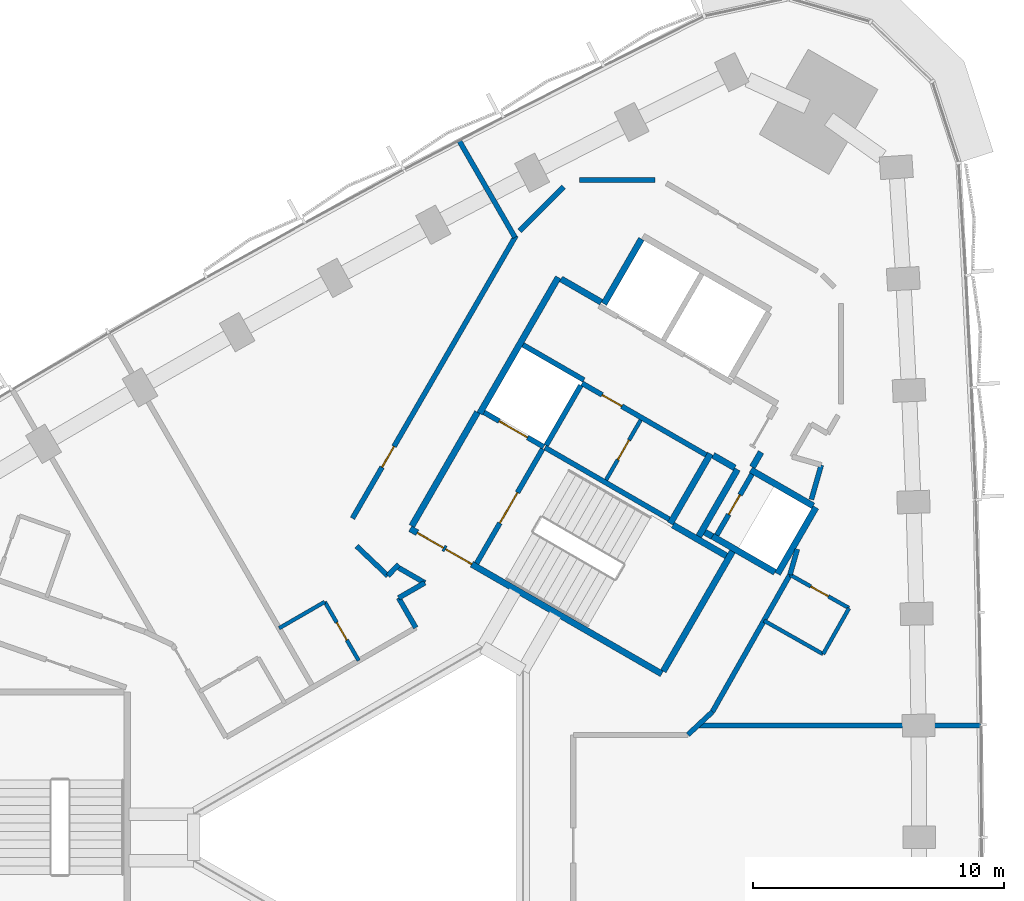
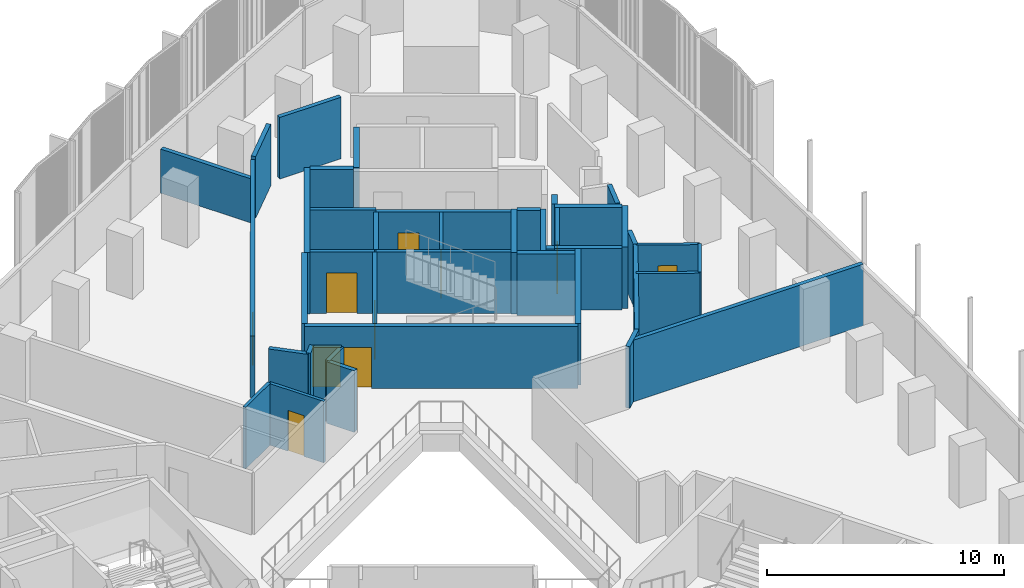
# One storey, part 10 of 15: 42 walls, 10 doors, 10 openings.
"""IFC4 building model written with IfcOpenShell, lengths in metres."""

from ifc_helpers import new_model, si_unit, direction, frame, frame_2d, origin, place, context, subcontext, project, spatial, rectangle, extrude, material, layer, layer_set, type_object, element, fill, save


model = new_model("IFC4")

# Units and contexts
model_context = context("Model", 3, precision=1e-05, world=origin(), true_north=direction((0.0, 1.0)))
body_context = subcontext(model_context, "Body", "Model", "MODEL_VIEW")
ifc_project = project(units=[si_unit("LENGTHUNIT", "METRE"), si_unit("AREAUNIT", "SQUARE_METRE"), si_unit("VOLUMEUNIT", "CUBIC_METRE"), si_unit("PLANEANGLEUNIT", "RADIAN"), si_unit("MASSUNIT", "GRAM", prefix="KILO")], contexts=[model_context])

# Site, building, storey
site_placement = place(None, origin())
site = spatial("IfcSite", under=ifc_project, at=site_placement, CompositionType="ELEMENT")
building_placement = place(site_placement, origin())
building = spatial("IfcBuilding", under=site, at=building_placement, Name="Tamra Quay Hotel Tower", CompositionType="ELEMENT")
storey_placement = place(building_placement, frame((0.0, 0.0, 101.0)))
storey = spatial("IfcBuildingStorey", under=building, at=storey_placement, Name="L24", CompositionType="ELEMENT", Elevation=101.0)

# Wall
ifc_material_1 = material(Name="Concrete M70", Category="concrete")
ifc_layer_1 = layer(ifc_material_1, 0.199951171875)
ifc_layer_set_1 = layer_set([ifc_layer_1], Name="Concrete M70 core wall 200")
wall_type_1 = type_object("IfcWallType", Name="Concrete M70 core wall 200", PredefinedType="SHEAR", material=ifc_layer_set_1)
wall_1_placement = place(storey_placement, frame((5.774658203125, 15.501953125, 0.0), z_axis=(0.0, 0.0, 1.0), x_axis=(0.866020080793, -0.500009219579, 0.0)))
element("IfcWall", 1, at=wall_1_placement, inside=storey, type_object=wall_type_1, Name="CW2", PredefinedType="SHEAR", context=body_context, shape_type="SweptSolid", body=[
    extrude(rectangle(XDim=5.69921875, YDim=0.199951171875, at=frame_2d((2.849609375, 0.0))), origin(), (0.0, 0.0, 1.0), 3.175048828125),
])

# Wall, opening, door
wall_2_placement = place(storey_placement, frame((12.18505859375, 15.20703125, 0.0), z_axis=(0.0, 0.0, 1.0), x_axis=(-0.866020080793, 0.500009219579, 0.0)))
wall_2 = element("IfcWall", 2, at=wall_2_placement, inside=storey, type_object=wall_type_1, Name="CW2", PredefinedType="SHEAR", context=body_context, shape_type="SweptSolid", body=[
    extrude(rectangle(XDim=5.69921875, YDim=0.199951171875, at=frame_2d((2.849609375, 0.0))), origin(), (0.0, 0.0, 1.0), 3.175048828125),
])
opening_1_placement = place(wall_2_placement, frame((3.8740234375, 0.0, 0.0)))
opening_1 = element("IfcOpeningElement", 3, at=opening_1_placement, cuts=wall_2, Name="Opening D2", PredefinedType="OPENING", context=body_context, shape_type="SweptSolid", body=[
    extrude(rectangle(XDim=0.89990234375, YDim=2.10009765625, at=frame_2d((0.449951171875, 1.050048828125))), frame((0.0, 0.10986328125, 0.0), z_axis=(0.0, -1.0, 0.0), x_axis=(1.0, 0.0, 0.0)), (0.0, 0.0, 1.0), 0.219970703125),
])
ifc_material_2 = material(Name="Core door D2 900x2100 RH")
door_type_1 = type_object("IfcDoorType", Name="Core door D2 900x2100 RH", OperationType="NOTDEFINED", PredefinedType="DOOR", material=ifc_material_2)
door_1_placement = place(opening_1_placement, origin())
door_1 = element("IfcDoor", 4, at=door_1_placement, inside=storey, type_object=door_type_1, Name="D2", OperationType="SINGLE_SWING_RIGHT", OverallHeight=2.10009765625, OverallWidth=0.89990234375, PredefinedType="DOOR", context=body_context, shape_type="SweptSolid", body=[
    extrude(rectangle(XDim=0.89990234375, YDim=2.10009765625, at=frame_2d((0.449951171875, 1.050048828125))), frame((0.0, 0.02490234375, 0.0), z_axis=(0.0, -1.0, 0.0), x_axis=(1.0, 0.0, 0.0)), (0.0, 0.0, 1.0), 0.050048828125),
])
fill(opening_1, door_1)

wall_3_placement = place(storey_placement, frame((3.056640625, 10.89453125, 0.0), z_axis=(0.0, 0.0, 1.0), x_axis=(0.499989418164, 0.866031513124, 0.0)))
wall_3 = element("IfcWall", 5, at=wall_3_placement, inside=storey, type_object=wall_type_1, Name="CW2", PredefinedType="SHEAR", context=body_context, shape_type="SweptSolid", body=[
    extrude(rectangle(XDim=5.2509765625, YDim=0.199951171875, at=frame_2d((2.62548828125, 0.0))), origin(), (0.0, 0.0, 1.0), 3.175048828125),
])
opening_2_placement = place(wall_3_placement, frame((1.84912109375, 0.0, 0.0)))
opening_2 = element("IfcOpeningElement", 6, at=opening_2_placement, cuts=wall_3, Name="Opening FD2", PredefinedType="OPENING", context=body_context, shape_type="SweptSolid", body=[
    extrude(rectangle(XDim=1.39990234375, YDim=2.10009765625, at=frame_2d((0.699951171875, 1.050048828125))), frame((0.0, 0.10986328125, 0.0), z_axis=(0.0, -1.0, 0.0), x_axis=(1.0, 0.0, 0.0)), (0.0, 0.0, 1.0), 0.219970703125),
])
ifc_material_3 = material(Name="Core door FD2 1400x2100 LH")
door_type_2 = type_object("IfcDoorType", Name="Core door FD2 1400x2100 LH", OperationType="NOTDEFINED", PredefinedType="DOOR", material=ifc_material_3)
door_2_placement = place(opening_2_placement, origin())
door_2 = element("IfcDoor", 7, at=door_2_placement, inside=storey, type_object=door_type_2, Name="FD2", OperationType="SINGLE_SWING_LEFT", OverallHeight=2.10009765625, OverallWidth=1.39990234375, PredefinedType="DOOR", context=body_context, shape_type="SweptSolid", body=[
    extrude(rectangle(XDim=1.39990234375, YDim=2.10009765625, at=frame_2d((0.699951171875, 1.050048828125))), frame((0.0, 0.02490234375, 0.0), z_axis=(0.0, -1.0, 0.0), x_axis=(1.0, 0.0, 0.0)), (0.0, 0.0, 1.0), 0.050048828125),
])
fill(opening_2, door_2)

wall_4_placement = place(storey_placement, frame((14.0078125, 14.442138671875, 0.0), z_axis=(0.0, 0.0, 1.0), x_axis=(-0.499986818241, -0.866033014143, 0.0)))
wall_4 = element("IfcWall", 8, at=wall_4_placement, inside=storey, type_object=wall_type_1, Name="CW2", PredefinedType="SHEAR", context=body_context, shape_type="SweptSolid", body=[
    extrude(rectangle(XDim=2.7978515625, YDim=0.199951171875, at=frame_2d((1.39892578125, 0.0))), origin(), (0.0, 0.0, 1.0), 3.175048828125),
])
opening_3_placement = place(wall_4_placement, frame((0.948974609375, 0.0, 0.0)))
opening_3 = element("IfcOpeningElement", 9, at=opening_3_placement, cuts=wall_4, Name="Opening D1", PredefinedType="OPENING", context=body_context, shape_type="SweptSolid", body=[
    extrude(rectangle(XDim=0.89990234375, YDim=2.10009765625, at=frame_2d((0.449951171875, 1.050048828125))), frame((0.0, 0.10986328125, 0.0), z_axis=(0.0, -1.0, 0.0), x_axis=(1.0, 0.0, 0.0)), (0.0, 0.0, 1.0), 0.219970703125),
])
ifc_material_4 = material(Name="Core door D1 900x2100 LH")
door_type_3 = type_object("IfcDoorType", Name="Core door D1 900x2100 LH", OperationType="NOTDEFINED", PredefinedType="DOOR", material=ifc_material_4)
door_3_placement = place(opening_3_placement, origin())
door_3 = element("IfcDoor", 10, at=door_3_placement, inside=storey, type_object=door_type_3, Name="D1", OperationType="SINGLE_SWING_LEFT", OverallHeight=2.10009765625, OverallWidth=0.89990234375, PredefinedType="DOOR", context=body_context, shape_type="SweptSolid", body=[
    extrude(rectangle(XDim=0.89990234375, YDim=2.10009765625, at=frame_2d((0.449951171875, 1.050048828125))), frame((0.0, 0.02490234375, 0.0), z_axis=(0.0, -1.0, 0.0), x_axis=(1.0, 0.0, 0.0)), (0.0, 0.0, 1.0), 0.050048828125),
])
fill(opening_3, door_3)

# Wall
wall_5_placement = place(storey_placement, frame((7.199462890625, 17.969970703125, 0.0), z_axis=(0.0, 0.0, 1.0), x_axis=(-0.499968400327, -0.866043647095, 0.0)))
element("IfcWall", 11, at=wall_5_placement, inside=storey, type_object=wall_type_1, Name="CW2", PredefinedType="SHEAR", context=body_context, shape_type="SweptSolid", body=[
    extrude(rectangle(XDim=2.749755859375, YDim=0.199951171875, at=frame_2d((1.375, 0.0))), origin(), (0.0, 0.0, 1.0), 3.175048828125),
])

# Wall, opening, door
wall_6_placement = place(storey_placement, frame((5.72509765625, 15.530517578125, 0.0), z_axis=(0.0, 0.0, 1.0), x_axis=(-0.866037306777, 0.499979382845, 0.0)))
wall_6 = element("IfcWall", 12, at=wall_6_placement, inside=storey, type_object=wall_type_1, Name="CW2", PredefinedType="SHEAR", context=body_context, shape_type="SweptSolid", body=[
    extrude(rectangle(XDim=2.74169921875, YDim=0.199951171875, at=frame_2d((1.370849609375, 0.0))), origin(), (0.0, 0.0, 1.0), 3.175048828125),
])
opening_4_placement = place(wall_6_placement, frame((0.742919921875, 0.0, 0.0)))
opening_4 = element("IfcOpeningElement", 13, at=opening_4_placement, cuts=wall_6, Name="Opening LD", PredefinedType="OPENING", context=body_context, shape_type="SweptSolid", body=[
    extrude(rectangle(XDim=1.300048828125, YDim=2.10009765625, at=frame_2d((0.64990234375, 1.050048828125))), frame((0.0, 0.10986328125, 0.0), z_axis=(0.0, -1.0, 0.0), x_axis=(1.0, 0.0, 0.0)), (0.0, 0.0, 1.0), 0.219970703125),
])
ifc_material_5 = material(Name="Landing door LD 1300 sliding to left")
door_type_4 = type_object("IfcDoorType", Name="Landing door LD 1300 sliding to left", OperationType="NOTDEFINED", PredefinedType="DOOR", material=ifc_material_5)
door_4_placement = place(opening_4_placement, origin())
door_4 = element("IfcDoor", 14, at=door_4_placement, inside=storey, type_object=door_type_4, Name="LD", OperationType="SLIDING_TO_LEFT", OverallHeight=2.10009765625, OverallWidth=1.300048828125, PredefinedType="DOOR", context=body_context, shape_type="SweptSolid", body=[
    extrude(rectangle(XDim=1.300048828125, YDim=2.10009765625, at=frame_2d((0.64990234375, 1.050048828125))), frame((0.0, 0.02490234375, 0.0), z_axis=(0.0, -1.0, 0.0), x_axis=(1.0, 0.0, 0.0)), (0.0, 0.0, 1.0), 0.050048828125),
])
fill(opening_4, door_4)

# Wall
wall_7_placement = place(storey_placement, frame((4.900634765625, 19.5859375, 0.0), z_axis=(0.0, 0.0, 1.0), x_axis=(0.866022890907, -0.500004352405, 0.0)))
element("IfcWall", 15, at=wall_7_placement, inside=storey, type_object=wall_type_1, Name="CW2", PredefinedType="SHEAR", context=body_context, shape_type="SweptSolid", body=[
    extrude(rectangle(XDim=2.798828125, YDim=0.199951171875, at=frame_2d((1.3994140625, 0.0))), origin(), (0.0, 0.0, 1.0), 3.175048828125),
])

# Wall, openings, doors
ifc_layer_2 = layer(ifc_material_1, 0.25)
ifc_layer_set_2 = layer_set([ifc_layer_2], Name="Concrete M70 core wall 250")
wall_type_2 = type_object("IfcWallType", Name="Concrete M70 core wall 250", PredefinedType="SHEAR", material=ifc_layer_set_2)
wall_8_placement = place(storey_placement, frame((10.419921875, 6.497802734375, 0.0), z_axis=(0.0, 0.0, 1.0), x_axis=(-0.866021906294, 0.500006057782, 0.0)))
wall_8 = element("IfcWall", 16, at=wall_8_placement, inside=storey, type_object=wall_type_2, Name="CW1", PredefinedType="SHEAR", context=body_context, shape_type="SweptSolid", body=[
    extrude(rectangle(XDim=11.550048828125, YDim=0.25, at=frame_2d((5.77490234375, 0.0))), origin(), (0.0, 0.0, 1.0), 3.175048828125),
])
opening_5_placement = place(wall_8_placement, frame((10.02490234375, 0.0, 0.0)))
opening_5 = element("IfcOpeningElement", 17, at=opening_5_placement, cuts=wall_8, Name="Opening FD1", PredefinedType="OPENING", context=body_context, shape_type="SweptSolid", body=[
    extrude(rectangle(XDim=1.199951171875, YDim=2.10009765625, at=frame_2d((0.60009765625, 1.050048828125))), frame((0.0, 0.135009765625, 0.0), z_axis=(0.0, -1.0, 0.0), x_axis=(1.0, 0.0, 0.0)), (0.0, 0.0, 1.0), 0.27001953125),
])
opening_6_placement = place(wall_8_placement, frame((8.724853515625, 0.0, 0.0)))
opening_6 = element("IfcOpeningElement", 18, at=opening_6_placement, cuts=wall_8, Name="Opening FD1", PredefinedType="OPENING", context=body_context, shape_type="SweptSolid", body=[
    extrude(rectangle(XDim=1.199951171875, YDim=2.10009765625, at=frame_2d((0.60009765625, 1.050048828125))), frame((0.0, 0.135009765625, 0.0), z_axis=(0.0, -1.0, 0.0), x_axis=(1.0, 0.0, 0.0)), (0.0, 0.0, 1.0), 0.27001953125),
])
ifc_material_6 = material(Name="Core door FD1 1200x2100 LH")
door_type_5 = type_object("IfcDoorType", Name="Core door FD1 1200x2100 LH", OperationType="NOTDEFINED", PredefinedType="DOOR", material=ifc_material_6)
door_5_placement = place(opening_5_placement, origin())
door_5 = element("IfcDoor", 19, at=door_5_placement, inside=storey, type_object=door_type_5, Name="FD1", OperationType="SINGLE_SWING_LEFT", OverallHeight=2.10009765625, OverallWidth=1.199951171875, PredefinedType="DOOR", context=body_context, shape_type="SweptSolid", body=[
    extrude(rectangle(XDim=1.199951171875, YDim=2.10009765625, at=frame_2d((0.60009765625, 1.050048828125))), frame((0.0, 0.02490234375, 0.0), z_axis=(0.0, -1.0, 0.0), x_axis=(1.0, 0.0, 0.0)), (0.0, 0.0, 1.0), 0.050048828125),
])
fill(opening_5, door_5)
ifc_material_7 = material(Name="Core door FD1 1200x2100 RH")
door_type_6 = type_object("IfcDoorType", Name="Core door FD1 1200x2100 RH", OperationType="NOTDEFINED", PredefinedType="DOOR", material=ifc_material_7)
door_6_placement = place(opening_6_placement, origin())
door_6 = element("IfcDoor", 20, at=door_6_placement, inside=storey, type_object=door_type_6, Name="FD1", OperationType="SINGLE_SWING_RIGHT", OverallHeight=2.10009765625, OverallWidth=1.199951171875, PredefinedType="DOOR", context=body_context, shape_type="SweptSolid", body=[
    extrude(rectangle(XDim=1.199951171875, YDim=2.10009765625, at=frame_2d((0.60009765625, 1.050048828125))), frame((0.0, 0.02490234375, 0.0), z_axis=(0.0, -1.0, 0.0), x_axis=(1.0, 0.0, 0.0)), (0.0, 0.0, 1.0), 0.050048828125),
])
fill(opening_6, door_6)

# Walls
wall_9_placement = place(storey_placement, frame((3.178955078125, 16.856201171875, 0.0), z_axis=(0.0, 0.0, 1.0), x_axis=(0.500004234368, 0.866022959057, 0.0)))
element("IfcWall", 21, at=wall_9_placement, inside=storey, type_object=wall_type_2, Name="CW1", PredefinedType="SHEAR", context=body_context, shape_type="SweptSolid", body=[
    extrude(rectangle(XDim=6.25, YDim=0.25, at=frame_2d((3.125, 0.0))), origin(), (0.0, 0.0, 1.0), 3.175048828125),
])
wall_10_placement = place(storey_placement, frame((0.47998046875, 12.38134765625, 0.0), z_axis=(0.0, 0.0, 1.0), x_axis=(0.49999885962, 0.866026062182, 0.0)))
element("IfcWall", 22, at=wall_10_placement, inside=storey, type_object=wall_type_2, Name="CW1", PredefinedType="SHEAR", context=body_context, shape_type="SweptSolid", body=[
    extrude(rectangle(XDim=5.224609375, YDim=0.25, at=frame_2d((2.6123046875, 0.0))), origin(), (0.0, 0.0, 1.0), 3.175048828125),
])
wall_11_placement = place(storey_placement, frame((13.237548828125, 11.3779296875, 0.0), z_axis=(0.0, 0.0, 1.0), x_axis=(-0.500008851346, -0.866020293397, 0.0)))
element("IfcWall", 23, at=wall_11_placement, inside=storey, type_object=wall_type_2, Name="CW1", PredefinedType="SHEAR", context=body_context, shape_type="SweptSolid", body=[
    extrude(rectangle(XDim=5.509765625, YDim=0.25, at=frame_2d((2.7548828125, 0.0))), origin(), (0.0, 0.0, 1.0), 3.175048828125),
])
wall_12_placement = place(storey_placement, frame((12.356689453125, 15.25244140625, 0.0), z_axis=(0.0, 0.0, 1.0), x_axis=(-0.500028443584, -0.866008981251, 0.0)))
element("IfcWall", 24, at=wall_12_placement, inside=storey, type_object=wall_type_2, Name="CW1", PredefinedType="SHEAR", context=body_context, shape_type="SweptSolid", body=[
    extrude(rectangle(XDim=3.199951171875, YDim=0.25, at=frame_2d((1.60009765625, 0.0))), origin(), (0.0, 0.0, 1.0), 3.175048828125),
])
wall_13_placement = place(storey_placement, frame((8.12255859375, 21.21875, 0.0), z_axis=(0.0, 0.0, 1.0), x_axis=(0.499987686533, 0.866032512851, 0.0)))
element("IfcWall", 25, at=wall_13_placement, inside=storey, type_object=wall_type_2, Name="CW1", PredefinedType="SHEAR", context=body_context, shape_type="SweptSolid", body=[
    extrude(rectangle(XDim=2.974609375, YDim=0.25, at=frame_2d((1.4873046875, 0.0))), origin(), (0.0, 0.0, 1.0), 3.175048828125),
])
wall_14_placement = place(storey_placement, frame((16.552001953125, 13.118896484375, 0.0), z_axis=(0.0, 0.0, 1.0), x_axis=(-0.499978833458, -0.866037623948, 0.0)))
element("IfcWall", 26, at=wall_14_placement, inside=storey, type_object=wall_type_2, Name="CW1", PredefinedType="SHEAR", context=body_context, shape_type="SweptSolid", body=[
    extrude(rectangle(XDim=3.050048828125, YDim=0.25, at=frame_2d((1.52490234375, 0.0))), origin(), (0.0, 0.0, 1.0), 3.175048828125),
])
wall_15_placement = place(storey_placement, frame((14.91845703125, 10.540283203125, 0.0), z_axis=(0.0, 0.0, 1.0), x_axis=(-0.866063538972, 0.499933942099, 0.0)))
element("IfcWall", 27, at=wall_15_placement, inside=storey, type_object=wall_type_2, Name="CW1", PredefinedType="SHEAR", context=body_context, shape_type="SweptSolid", body=[
    extrude(rectangle(XDim=2.86474609375, YDim=0.25, at=frame_2d((1.432373046875, 0.0))), origin(), (0.0, 0.0, 1.0), 3.175048828125),
])
wall_16_placement = place(storey_placement, frame((13.962646484375, 14.61376953125, 0.0), z_axis=(0.0, 0.0, 1.0), x_axis=(0.866042235819, -0.499970844928, 0.0)))
element("IfcWall", 28, at=wall_16_placement, inside=storey, type_object=wall_type_2, Name="CW1", PredefinedType="SHEAR", context=body_context, shape_type="SweptSolid", body=[
    extrude(rectangle(XDim=2.864501953125, YDim=0.25, at=frame_2d((1.43212890625, 0.0))), origin(), (0.0, 0.0, 1.0), 3.175048828125),
])
wall_17_placement = place(storey_placement, frame((11.887939453125, 11.960693359375, 0.0), z_axis=(0.0, 0.0, 1.0), x_axis=(0.500003324108, 0.866023484601, 0.0)))
element("IfcWall", 29, at=wall_17_placement, inside=storey, type_object=wall_type_2, Name="CW1", PredefinedType="SHEAR", context=body_context, shape_type="SweptSolid", body=[
    extrude(rectangle(XDim=3.0849609375, YDim=0.25, at=frame_2d((1.54248046875, 0.0))), origin(), (0.0, 0.0, 1.0), 3.175048828125),
])
wall_18_placement = place(storey_placement, frame((10.865234375, 12.41845703125, 0.0), z_axis=(0.0, 0.0, 1.0), x_axis=(0.866026229868, -0.499998569178, 0.0)))
element("IfcWall", 30, at=wall_18_placement, inside=storey, type_object=wall_type_2, Name="CW1", PredefinedType="SHEAR", context=body_context, shape_type="SweptSolid", body=[
    extrude(rectangle(XDim=2.44921875, YDim=0.25, at=frame_2d((1.224609375, 0.0))), origin(), (0.0, 0.0, 1.0), 3.175048828125),
])
wall_19_placement = place(storey_placement, frame((6.41259765625, 22.2060546875, 0.0), z_axis=(0.0, 0.0, 1.0), x_axis=(0.866016279763, -0.500015802937, 0.0)))
element("IfcWall", 31, at=wall_19_placement, inside=storey, type_object=wall_type_2, Name="CW1", PredefinedType="SHEAR", context=body_context, shape_type="SweptSolid", body=[
    extrude(rectangle(XDim=1.84912109375, YDim=0.25, at=frame_2d((0.924560546875, 0.0))), origin(), (0.0, 0.0, 1.0), 3.175048828125),
])
wall_20_placement = place(storey_placement, frame((13.322021484375, 14.695068359375, 0.0), z_axis=(0.0, 0.0, 1.0), x_axis=(-0.866017078145, 0.500014420154, 0.0)))
element("IfcWall", 32, at=wall_20_placement, inside=storey, type_object=wall_type_2, Name="CW1", PredefinedType="SHEAR", context=body_context, shape_type="SweptSolid", body=[
    extrude(rectangle(XDim=0.9892578125, YDim=0.25, at=frame_2d((0.49462890625, 0.0))), origin(), (0.0, 0.0, 1.0), 3.175048828125),
])
wall_21_placement = place(storey_placement, frame((14.36767578125, 15.3154296875, 0.0), z_axis=(0.0, 0.0, 1.0), x_axis=(-0.499897359611, -0.866084655132, 0.0)))
element("IfcWall", 33, at=wall_21_placement, inside=storey, type_object=wall_type_2, Name="CW1", PredefinedType="SHEAR", context=body_context, shape_type="SweptSolid", body=[
    extrude(rectangle(XDim=0.684814453125, YDim=0.25, at=frame_2d((0.34228515625, 0.0))), origin(), (0.0, 0.0, 1.0), 3.175048828125),
])
wall_22_placement = place(storey_placement, frame((12.4326171875, 11.9638671875, 0.0), z_axis=(0.0, 0.0, 1.0), x_axis=(-0.866055875208, 0.499947218231, 0.0)))
element("IfcWall", 34, at=wall_22_placement, inside=storey, type_object=wall_type_2, Name="CW1", PredefinedType="SHEAR", context=body_context, shape_type="SweptSolid", body=[
    extrude(rectangle(XDim=0.3447265625, YDim=0.25, at=frame_2d((0.17236328125, 0.0))), origin(), (0.0, 0.0, 1.0), 3.175048828125),
])

# Wall, opening, door
ifc_material_8 = material(Name="Blockwork", Category="masonry")
ifc_layer_3 = layer(ifc_material_8, 0.14990234375)
ifc_layer_set_3 = layer_set([ifc_layer_3], Name="Core partition block 150")
wall_type_3 = type_object("IfcWallType", Name="Core partition block 150", PredefinedType="PARTITIONING", material=ifc_layer_set_3)
wall_23_placement = place(storey_placement, frame((8.20654296875, 14.214111328125, 0.0), z_axis=(0.0, 0.0, 1.0), x_axis=(0.499922376475, 0.866070215109, 0.0)))
wall_23 = element("IfcWall", 35, at=wall_23_placement, inside=storey, type_object=wall_type_3, Name="CP1", PredefinedType="PARTITIONING", context=body_context, shape_type="SweptSolid", body=[
    extrude(rectangle(XDim=2.74853515625, YDim=0.14990234375, at=frame_2d((1.374267578125, 0.0))), origin(), (0.0, 0.0, 1.0), 3.175048828125),
])
opening_7_placement = place(wall_23_placement, frame((0.92431640625, 0.0, 0.0)))
opening_7 = element("IfcOpeningElement", 36, at=opening_7_placement, cuts=wall_23, Name="Opening D2", PredefinedType="OPENING", context=body_context, shape_type="SweptSolid", body=[
    extrude(rectangle(XDim=0.89990234375, YDim=2.10009765625, at=frame_2d((0.449951171875, 1.050048828125))), frame((0.0, 0.0849609375, 0.0), z_axis=(0.0, -1.0, 0.0), x_axis=(1.0, 0.0, 0.0)), (0.0, 0.0, 1.0), 0.169921875),
])
door_7_placement = place(opening_7_placement, origin())
door_7 = element("IfcDoor", 37, at=door_7_placement, inside=storey, type_object=door_type_1, Name="D2", OperationType="SINGLE_SWING_RIGHT", OverallHeight=2.10009765625, OverallWidth=0.89990234375, PredefinedType="DOOR", context=body_context, shape_type="SweptSolid", body=[
    extrude(rectangle(XDim=0.89990234375, YDim=2.10009765625, at=frame_2d((0.449951171875, 1.050048828125))), frame((0.0, 0.02490234375, 0.0), z_axis=(0.0, -1.0, 0.0), x_axis=(1.0, 0.0, 0.0)), (0.0, 0.0, 1.0), 0.050048828125),
])
fill(opening_7, door_7)

ifc_material_9 = material(Name="Partition corridor wall")
ifc_layer_4 = layer(ifc_material_9, 0.199951171875)
ifc_layer_set_4 = layer_set([ifc_layer_4], Name="Partition corridor wall")
wall_type_4 = type_object("IfcWallType", Name="Partition corridor wall", PredefinedType="PARTITIONING", material=ifc_layer_set_4)
wall_24_placement = place(storey_placement, frame((-1.880615234375, 12.685546875, 0.0), z_axis=(0.0, 0.0, 1.0), x_axis=(0.500626612016, 0.865663326786, 0.0)))
wall_24 = element("IfcWall", 38, at=wall_24_placement, inside=storey, type_object=wall_type_4, Name="W-C", PredefinedType="PARTITIONING", context=body_context, shape_type="SweptSolid", body=[
    extrude(rectangle(XDim=12.992919921875, YDim=0.199951171875, at=frame_2d((6.49658203125, 0.0))), origin(), (0.0, 0.0, 1.0), 3.175048828125),
])
opening_8_placement = place(wall_24_placement, frame((2.35009765625, 0.0, 0.0)))
opening_8 = element("IfcOpeningElement", 39, at=opening_8_placement, cuts=wall_24, Name="Opening L24-D004", PredefinedType="OPENING", context=body_context, shape_type="SweptSolid", body=[
    extrude(rectangle(XDim=0.949951171875, YDim=2.10009765625, at=frame_2d((0.47509765625, 1.050048828125))), frame((0.0, 0.10986328125, 0.0), z_axis=(0.0, -1.0, 0.0), x_axis=(1.0, 0.0, 0.0)), (0.0, 0.0, 1.0), 0.219970703125),
])
ifc_material_10 = material(Name="Door guest room 950x2100")
door_type_7 = type_object("IfcDoorType", Name="Door guest room 950x2100", OperationType="NOTDEFINED", PredefinedType="DOOR", material=ifc_material_10)
door_8_placement = place(opening_8_placement, origin())
door_8 = element("IfcDoor", 40, at=door_8_placement, inside=storey, type_object=door_type_7, Name="L24-D004", OperationType="SINGLE_SWING_LEFT", OverallHeight=2.10009765625, OverallWidth=0.949951171875, PredefinedType="DOOR", context=body_context, shape_type="SweptSolid", body=[
    extrude(rectangle(XDim=0.949951171875, YDim=2.10009765625, at=frame_2d((0.47509765625, 1.050048828125))), frame((0.0, 0.02490234375, 0.0), z_axis=(0.0, -1.0, 0.0), x_axis=(1.0, 0.0, 0.0)), (0.0, 0.0, 1.0), 0.050048828125),
])
fill(opening_8, door_8)

# Walls
wall_25_placement = place(storey_placement, frame((-1.716064453125, 11.580078125, 0.0), z_axis=(0.0, 0.0, 1.0), x_axis=(0.725241197616, -0.68849488399, 0.0)))
element("IfcWall", 41, at=wall_25_placement, inside=storey, type_object=wall_type_4, Name="W-C", PredefinedType="PARTITIONING", context=body_context, shape_type="SweptSolid", body=[
    extrude(rectangle(XDim=1.714111328125, YDim=0.199951171875, at=frame_2d((0.85693359375, 0.0))), origin(), (0.0, 0.0, 1.0), 3.175048828125),
])
wall_26_placement = place(storey_placement, frame((-0.472900390625, 10.39990234375, 0.0), z_axis=(0.0, 0.0, 1.0), x_axis=(0.688997330597, 0.724763877708, 0.0)))
element("IfcWall", 42, at=wall_26_placement, inside=storey, type_object=wall_type_4, Name="W-C", PredefinedType="PARTITIONING", context=body_context, shape_type="SweptSolid", body=[
    extrude(rectangle(XDim=0.62109375, YDim=0.199951171875, at=frame_2d((0.310546875, 0.0))), origin(), (0.0, 0.0, 1.0), 3.175048828125),
])
wall_27_placement = place(storey_placement, frame((-0.044921875, 9.52099609375, 0.0), z_axis=(0.0, 0.0, 1.0), x_axis=(0.499804837697, -0.866138051476, 0.0)))
element("IfcWall", 43, at=wall_27_placement, inside=storey, type_object=wall_type_4, Name="W-C", PredefinedType="PARTITIONING", context=body_context, shape_type="SweptSolid", body=[
    extrude(rectangle(XDim=1.3681640625, YDim=0.199951171875, at=frame_2d((0.68408203125, 0.0))), origin(), (0.0, 0.0, 1.0), 3.175048828125),
])
wall_28_placement = place(storey_placement, frame((-0.044921875, 9.52197265625, 0.0), z_axis=(0.0, 0.0, 1.0), x_axis=(0.86625675314, 0.499599076899, 0.0)))
element("IfcWall", 44, at=wall_28_placement, inside=storey, type_object=wall_type_4, Name="W-C", PredefinedType="PARTITIONING", context=body_context, shape_type="SweptSolid", body=[
    extrude(rectangle(XDim=1.19921875, YDim=0.199951171875, at=frame_2d((0.599609375, 0.0))), origin(), (0.0, 0.0, 1.0), 3.175048828125),
])
wall_29_placement = place(storey_placement, frame((-0.044921875, 10.720947265625, 0.0), z_axis=(0.0, 0.0, 1.0), x_axis=(0.865992388649, -0.500057179532, 0.0)))
element("IfcWall", 45, at=wall_29_placement, inside=storey, type_object=wall_type_4, Name="W-C", PredefinedType="PARTITIONING", context=body_context, shape_type="SweptSolid", body=[
    extrude(rectangle(XDim=1.199462890625, YDim=0.199951171875, at=frame_2d((0.599609375, 0.0))), origin(), (0.0, 0.0, 1.0), 3.175048828125),
])
wall_30_placement = place(storey_placement, frame((4.76708984375, 24.117919921875, 0.0), z_axis=(0.0, 0.0, 1.0), x_axis=(0.7069095133, 0.707303994055, 0.0)))
element("IfcWall", 46, at=wall_30_placement, inside=storey, type_object=wall_type_4, Name="W-C", PredefinedType="PARTITIONING", context=body_context, shape_type="SweptSolid", body=[
    extrude(rectangle(XDim=2.4755859375, YDim=0.199951171875, at=frame_2d((1.23779296875, 0.0))), origin(), (0.0, 0.0, 1.0), 3.175048828125),
])
wall_31_placement = place(storey_placement, frame((7.154052734375, 26.132080078125, 0.0), z_axis=(0.0, 0.0, 1.0), x_axis=(1.0, 0.0, 0.0)))
element("IfcWall", 47, at=wall_31_placement, inside=storey, type_object=wall_type_4, Name="W-C", PredefinedType="PARTITIONING", context=body_context, shape_type="SweptSolid", body=[
    extrude(rectangle(XDim=3.0, YDim=0.199951171875, at=frame_2d((1.5, 0.0))), origin(), (0.0, 0.0, 1.0), 3.175048828125),
])
wall_32_placement = place(storey_placement, frame((11.4580078125, 4.077880859375, 0.0), z_axis=(0.0, 0.0, 1.0), x_axis=(0.73011257202, 0.683326885303, 0.0)))
element("IfcWall", 48, at=wall_32_placement, inside=storey, type_object=wall_type_4, Name="W-C", PredefinedType="PARTITIONING", context=body_context, shape_type="SweptSolid", body=[
    extrude(rectangle(XDim=1.3359375, YDim=0.199951171875, at=frame_2d((0.66796875, 0.0))), origin(), (0.0, 0.0, 1.0), 3.175048828125),
])
wall_33_placement = place(storey_placement, frame((12.43310546875, 4.991943359375, 0.0), z_axis=(0.0, 0.0, 1.0), x_axis=(0.492542536731, 0.870288371467, 0.0)))
element("IfcWall", 49, at=wall_33_placement, inside=storey, type_object=wall_type_4, Name="W-C", PredefinedType="PARTITIONING", context=body_context, shape_type="SweptSolid", body=[
    extrude(rectangle(XDim=6.265380859375, YDim=0.199951171875, at=frame_2d((3.1328125, 0.0))), origin(), (0.0, 0.0, 1.0), 3.175048828125),
])
wall_34_placement = place(storey_placement, frame((15.518310546875, 10.444580078125, 0.0), z_axis=(0.0, 0.0, 1.0), x_axis=(0.274476999991, 0.961593664952, 0.0)))
element("IfcWall", 50, at=wall_34_placement, inside=storey, type_object=wall_type_4, Name="W-C", PredefinedType="PARTITIONING", context=body_context, shape_type="SweptSolid", body=[
    extrude(rectangle(XDim=1.056640625, YDim=0.199951171875, at=frame_2d((0.5283203125, 0.0))), origin(), (0.0, 0.0, 1.0), 3.175048828125),
])
wall_35_placement = place(storey_placement, frame((16.3720703125, 13.4365234375, 0.0), z_axis=(0.0, 0.0, 1.0), x_axis=(0.274291171902, 0.961646688247, 0.0)))
element("IfcWall", 51, at=wall_35_placement, inside=storey, type_object=wall_type_4, Name="W-C", PredefinedType="PARTITIONING", context=body_context, shape_type="SweptSolid", body=[
    extrude(rectangle(XDim=1.425048828125, YDim=0.199951171875, at=frame_2d((0.71240234375, 0.0))), origin(), (0.0, 0.0, 1.0), 3.175048828125),
])
ifc_material_11 = material(Name="Partition en-suite wall")
ifc_layer_5 = layer(ifc_material_11, 0.14990234375)
ifc_layer_set_5 = layer_set([ifc_layer_5], Name="Partition en-suite wall")
wall_type_5 = type_object("IfcWallType", Name="Partition en-suite wall", PredefinedType="PARTITIONING", material=ifc_layer_set_5)
wall_36_placement = place(storey_placement, frame((-4.800048828125, 8.31396484375, 0.0), z_axis=(0.0, 0.0, 1.0), x_axis=(0.866036389889, 0.499980971027, 0.0)))
element("IfcWall", 52, at=wall_36_placement, inside=storey, type_object=wall_type_5, Name="W-E", PredefinedType="PARTITIONING", context=body_context, shape_type="SweptSolid", body=[
    extrude(rectangle(XDim=2.09814453125, YDim=0.14990234375, at=frame_2d((1.049072265625, 0.0))), origin(), (0.0, 0.0, 1.0), 3.175048828125),
])

# Wall, opening, door
wall_37_placement = place(storey_placement, frame((-2.97998046875, 9.362060546875, 0.0), z_axis=(0.0, 0.0, 1.0), x_axis=(0.499947162696, -0.866055907267, 0.0)))
wall_37 = element("IfcWall", 53, at=wall_37_placement, inside=storey, type_object=wall_type_5, Name="W-E", PredefinedType="PARTITIONING", context=body_context, shape_type="SweptSolid", body=[
    extrude(rectangle(XDim=2.696044921875, YDim=0.14990234375, at=frame_2d((1.34814453125, 0.0))), origin(), (0.0, 0.0, 1.0), 3.175048828125),
])
opening_9_placement = place(wall_37_placement, frame((0.947509765625, 0.0, 0.0)))
opening_9 = element("IfcOpeningElement", 54, at=opening_9_placement, cuts=wall_37, Name="Opening L24-D005", PredefinedType="OPENING", context=body_context, shape_type="SweptSolid", body=[
    extrude(rectangle(XDim=0.800048828125, YDim=2.10009765625, at=frame_2d((0.39990234375, 1.050048828125))), frame((0.0, 0.0849609375, 0.0), z_axis=(0.0, -1.0, 0.0), x_axis=(1.0, 0.0, 0.0)), (0.0, 0.0, 1.0), 0.169921875),
])
ifc_material_12 = material(Name="Door en-suite 800x2100")
door_type_8 = type_object("IfcDoorType", Name="Door en-suite 800x2100", OperationType="NOTDEFINED", PredefinedType="DOOR", material=ifc_material_12)
door_9_placement = place(opening_9_placement, origin())
door_9 = element("IfcDoor", 55, at=door_9_placement, inside=storey, type_object=door_type_8, Name="L24-D005", OperationType="SINGLE_SWING_LEFT", OverallHeight=2.10009765625, OverallWidth=0.800048828125, PredefinedType="DOOR", context=body_context, shape_type="SweptSolid", body=[
    extrude(rectangle(XDim=0.800048828125, YDim=2.10009765625, at=frame_2d((0.39990234375, 1.050048828125))), frame((0.0, 0.02490234375, 0.0), z_axis=(0.0, -1.0, 0.0), x_axis=(1.0, 0.0, 0.0)), (0.0, 0.0, 1.0), 0.050048828125),
])
fill(opening_9, door_9)

# Wall
wall_38_placement = place(storey_placement, frame((14.486083984375, 8.616943359375, 0.0), z_axis=(0.0, 0.0, 1.0), x_axis=(0.870036419856, -0.492987452299, 0.0)))
element("IfcWall", 56, at=wall_38_placement, inside=storey, type_object=wall_type_5, Name="W-E", PredefinedType="PARTITIONING", context=body_context, shape_type="SweptSolid", body=[
    extrude(rectangle(XDim=2.697509765625, YDim=0.14990234375, at=frame_2d((1.3486328125, 0.0))), origin(), (0.0, 0.0, 1.0), 3.175048828125),
])

# Wall, opening, door
wall_39_placement = place(storey_placement, frame((15.52392578125, 10.43994140625, 0.0), z_axis=(0.0, 0.0, 1.0), x_axis=(0.870752194817, -0.491722091452, 0.0)))
wall_39 = element("IfcWall", 57, at=wall_39_placement, inside=storey, type_object=wall_type_5, Name="W-E", PredefinedType="PARTITIONING", context=body_context, shape_type="SweptSolid", body=[
    extrude(rectangle(XDim=2.6884765625, YDim=0.14990234375, at=frame_2d((1.34423828125, 0.0))), origin(), (0.0, 0.0, 1.0), 3.175048828125),
])
opening_10_placement = place(wall_39_placement, frame((0.944580078125, 0.0, 0.0)))
opening_10 = element("IfcOpeningElement", 58, at=opening_10_placement, cuts=wall_39, Name="Opening L24-D003", PredefinedType="OPENING", context=body_context, shape_type="SweptSolid", body=[
    extrude(rectangle(XDim=0.800048828125, YDim=2.10009765625, at=frame_2d((0.39990234375, 1.050048828125))), frame((0.0, 0.0849609375, 0.0), z_axis=(0.0, -1.0, 0.0), x_axis=(1.0, 0.0, 0.0)), (0.0, 0.0, 1.0), 0.169921875),
])
door_10_placement = place(opening_10_placement, origin())
door_10 = element("IfcDoor", 59, at=door_10_placement, inside=storey, type_object=door_type_8, Name="L24-D003", OperationType="SINGLE_SWING_LEFT", OverallHeight=2.10009765625, OverallWidth=0.800048828125, PredefinedType="DOOR", context=body_context, shape_type="SweptSolid", body=[
    extrude(rectangle(XDim=0.800048828125, YDim=2.10009765625, at=frame_2d((0.39990234375, 1.050048828125))), frame((0.0, 0.02490234375, 0.0), z_axis=(0.0, -1.0, 0.0), x_axis=(1.0, 0.0, 0.0)), (0.0, 0.0, 1.0), 0.050048828125),
])
fill(opening_10, door_10)

# Walls
wall_40_placement = place(storey_placement, frame((16.839111328125, 7.291015625, 0.0), z_axis=(0.0, 0.0, 1.0), x_axis=(0.492237979629, 0.870460666205, 0.0)))
element("IfcWall", 60, at=wall_40_placement, inside=storey, type_object=wall_type_5, Name="W-E", PredefinedType="PARTITIONING", context=body_context, shape_type="SweptSolid", body=[
    extrude(rectangle(XDim=2.092041015625, YDim=0.14990234375, at=frame_2d((1.0458984375, 0.0))), origin(), (0.0, 0.0, 1.0), 3.175048828125),
])
ifc_material_13 = material(Name="Partition party wall")
ifc_layer_6 = layer(ifc_material_13, 0.199951171875)
ifc_layer_set_6 = layer_set([ifc_layer_6], Name="Partition party wall")
wall_type_6 = type_object("IfcWallType", Name="Partition party wall", PredefinedType="PARTITIONING", material=ifc_layer_set_6)
wall_41_placement = place(storey_placement, frame((2.363037109375, 27.703857421875, 0.0), z_axis=(0.0, 0.0, 1.0), x_axis=(0.499966886051, -0.866044521288, 0.0)))
element("IfcWall", 61, at=wall_41_placement, inside=storey, type_object=wall_type_6, Name="W-P", PredefinedType="PARTITIONING", context=body_context, shape_type="SweptSolid", body=[
    extrude(rectangle(XDim=4.438232421875, YDim=0.199951171875, at=frame_2d((2.21923828125, 0.0))), origin(), (0.0, 0.0, 1.0), 2.27490234375),
])
wall_42_placement = place(storey_placement, frame((11.85009765625, 4.445068359375, 0.0), z_axis=(0.0, 0.0, 1.0), x_axis=(1.0, 0.0, 0.0)))
element("IfcWall", 62, at=wall_42_placement, inside=storey, type_object=wall_type_6, Name="W-P", PredefinedType="PARTITIONING", context=body_context, shape_type="SweptSolid", body=[
    extrude(rectangle(XDim=11.26416015625, YDim=0.199951171875, at=frame_2d((5.632080078125, 0.0))), origin(), (0.0, 0.0, 1.0), 3.175048828125),
])

save(model, "model.ifc")
